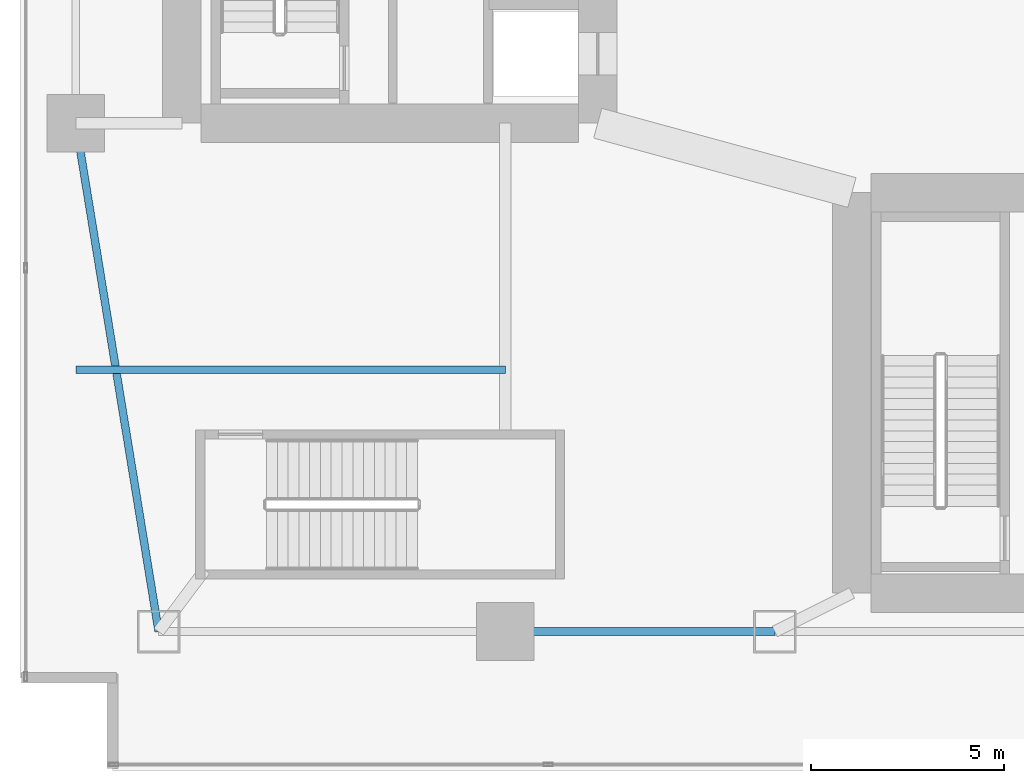
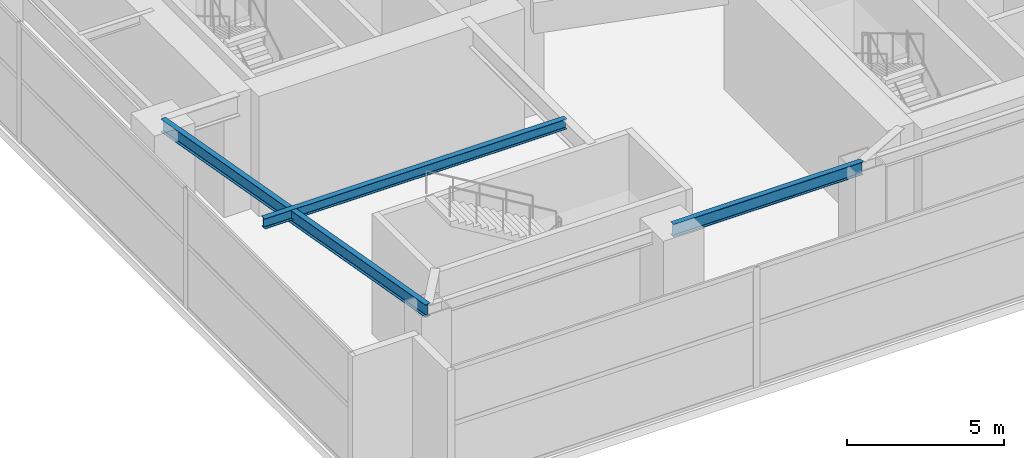
# One storey, part 5 of 35: 3 beams.
"""IFC4 building model written with IfcOpenShell, lengths in metres."""

from ifc_helpers import new_model, si_unit, direction, frame, origin, origin_2d, place, context, subcontext, project, spatial, i_section, extrude, material, material_profile, profile_set, type_object, element, save


model = new_model("IFC4")

# Units and contexts
model_context = context("Model", 3, precision=1e-05, world=origin(), true_north=direction((0.0, 1.0)))
body_context = subcontext(model_context, "Body", "Model", "MODEL_VIEW")
ifc_project = project(units=[si_unit("LENGTHUNIT", "METRE"), si_unit("AREAUNIT", "SQUARE_METRE"), si_unit("VOLUMEUNIT", "CUBIC_METRE"), si_unit("PLANEANGLEUNIT", "RADIAN"), si_unit("MASSUNIT", "GRAM", prefix="KILO")], contexts=[model_context])

# Site, building, storey
site_placement = place(None, origin())
site = spatial("IfcSite", under=ifc_project, at=site_placement, CompositionType="ELEMENT")
building_placement = place(site_placement, origin())
building = spatial("IfcBuilding", under=site, at=building_placement, Name="Calvorn Quay Hotel", CompositionType="ELEMENT")
storey_placement = place(building_placement, frame((0.0, 0.0, 12.0)))
storey = spatial("IfcBuildingStorey", under=building, at=storey_placement, Name="L02", CompositionType="ELEMENT", Elevation=12.0)

# Beams
ifc_material_1 = material(Name="Steel Q355B", Category="steel")
ifc_material_profile_1 = material_profile(ifc_material_1, i_section(OverallWidth=0.199951171875, OverallDepth=0.39990234375, WebThickness=0.008056640625, FlangeThickness=0.012939453125, FilletRadius=0.01611328125, at=origin_2d()), Name="HN400x200x8x13")
ifc_profile_set_1 = profile_set([ifc_material_profile_1], Name="Steel Q355B")
beam_type_1 = type_object("IfcBeamType", Name="BM-JOIST-TYP", PredefinedType="JOIST", material=ifc_profile_set_1)
beam_1_placement = place(storey_placement, frame((1.449951171875, 10.39990234375, 4.47998046875), z_axis=(1.0, 0.0, 0.0), x_axis=(0.0, 1.0, 0.0)))
element("IfcBeam", 1, at=beam_1_placement, inside=storey, type_object=beam_type_1, Name="Beam BJ-L02-W1", PredefinedType="JOIST", context=body_context, shape_type="SweptSolid", body=[
    extrude(i_section(OverallWidth=0.199951171875, OverallDepth=0.39990234375, WebThickness=0.008056640625, FlangeThickness=0.012939453125, FilletRadius=0.01611328125, at=origin_2d()), origin(), (0.0, 0.0, 1.0), 11.150146484375),
])
ifc_material_2 = material(Name="Steel Q355B", Category="steel")
ifc_material_profile_2 = material_profile(ifc_material_2, i_section(OverallWidth=0.199951171875, OverallDepth=0.5, WebThickness=0.010009765625, FlangeThickness=0.01611328125, FilletRadius=0.01611328125, at=origin_2d()), Name="HN500x200x10x16")
ifc_profile_set_2 = profile_set([ifc_material_profile_2], Name="Steel Q355B")
beam_type_2 = type_object("IfcBeamType", Name="BM-SPANDREL-Z1", PredefinedType="SPANDREL", material=ifc_profile_set_2)
beam_2_placement = place(storey_placement, frame((3.60009765625, 3.60009765625, 4.429931640625), z_axis=(-0.16077155054, 0.986991645627, 0.0), x_axis=(-0.986991645627, -0.16077155054, 0.0)))
element("IfcBeam", 2, at=beam_2_placement, inside=storey, type_object=beam_type_2, Name="Beam BSP-L02-W1", PredefinedType="SPANDREL", context=body_context, shape_type="SweptSolid", body=[
    extrude(i_section(OverallWidth=0.199951171875, OverallDepth=0.5, WebThickness=0.010009765625, FlangeThickness=0.01611328125, FilletRadius=0.01611328125, at=origin_2d()), origin(), (0.0, 0.0, 1.0), 13.3740234375),
])
beam_3_placement = place(storey_placement, frame((12.60009765625, 3.60009765625, 4.429931640625), z_axis=(1.0, 0.0, 0.0), x_axis=(0.0, 1.0, 0.0)))
element("IfcBeam", 3, at=beam_3_placement, inside=storey, type_object=beam_type_2, Name="Beam BSP-L02-S2", PredefinedType="SPANDREL", context=body_context, shape_type="SweptSolid", body=[
    extrude(i_section(OverallWidth=0.199951171875, OverallDepth=0.5, WebThickness=0.010009765625, FlangeThickness=0.01611328125, FilletRadius=0.01611328125, at=origin_2d()), origin(), (0.0, 0.0, 1.0), 7.0),
])

save(model, "model.ifc")
